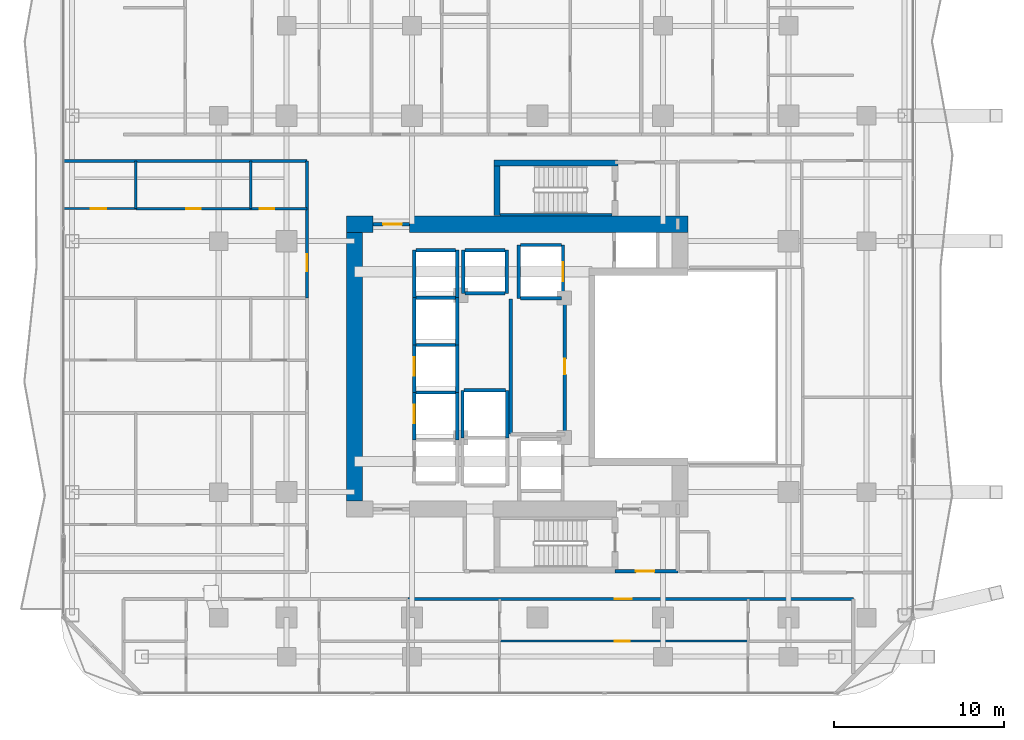
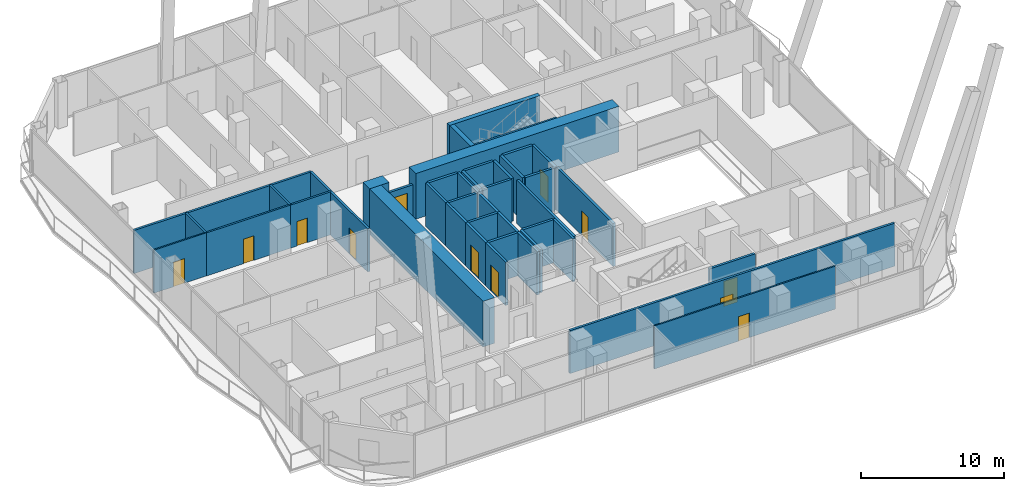
# One storey, part 25 of 32: 42 walls, 12 doors, 12 openings.
"""IFC4 building model written with IfcOpenShell, lengths in metres."""

from ifc_helpers import new_model, si_unit, direction, frame, frame_2d, origin, place, context, subcontext, project, spatial, rectangle, extrude, material, layer, layer_set, type_object, element, fill, save


model = new_model("IFC4")

# Units and contexts
model_context = context("Model", 3, precision=1e-05, world=origin(), true_north=direction((0.0, 1.0)))
body_context = subcontext(model_context, "Body", "Model", "MODEL_VIEW")
ifc_project = project(units=[si_unit("LENGTHUNIT", "METRE"), si_unit("AREAUNIT", "SQUARE_METRE"), si_unit("VOLUMEUNIT", "CUBIC_METRE"), si_unit("PLANEANGLEUNIT", "RADIAN"), si_unit("MASSUNIT", "GRAM", prefix="KILO")], contexts=[model_context])

# Site, building, storey
site_placement = place(None, origin())
site = spatial("IfcSite", under=ifc_project, at=site_placement, CompositionType="ELEMENT")
building_placement = place(site_placement, origin())
building = spatial("IfcBuilding", under=site, at=building_placement, Name="Khorvyn Point Tower", CompositionType="ELEMENT")
storey_placement = place(building_placement, frame((0.0, 0.0, 93.0)))
storey = spatial("IfcBuildingStorey", under=building, at=storey_placement, Name="L23", CompositionType="ELEMENT", Elevation=93.0)

# Wall, opening, door
ifc_material_1 = material(Name="Double acoustic gypsum on twin steel stud", Category="steel")
ifc_layer_1 = layer(ifc_material_1, 0.179931640625)
ifc_layer_set_1 = layer_set([ifc_layer_1], Name="Acoustic Double-Stud Apartment Demising Wall 180")
wall_type_1 = type_object("IfcWallType", Name="Acoustic Double-Stud Apartment Demising Wall 180", PredefinedType="PARTITIONING", material=ifc_layer_set_1)
wall_1_placement = place(storey_placement, frame((-7.634033203125, -13.699951171875, 0.0), z_axis=(0.0, 0.0, 1.0), x_axis=(1.0, 0.0, 0.0)))
wall_1 = element("IfcWall", 1, at=wall_1_placement, inside=storey, type_object=wall_type_1, Name="Wall", PredefinedType="PARTITIONING", context=body_context, shape_type="SweptSolid", body=[
    extrude(rectangle(XDim=26.254150390625, YDim=0.179931640625, at=frame_2d((13.126953125, 0.0))), origin(), (0.0, 0.0, 1.0), 3.679931640625),
])
opening_1_placement = place(wall_1_placement, frame((12.178466796875, 0.0, 0.0)))
opening_1 = element("IfcOpeningElement", 2, at=opening_1_placement, cuts=wall_1, Name="Opening ID-AP60", PredefinedType="OPENING", context=body_context, shape_type="SweptSolid", body=[
    extrude(rectangle(XDim=1.0, YDim=2.199951171875, at=frame_2d((0.5, 1.10009765625))), frame((0.0, 0.099853515625, 0.0), z_axis=(0.0, -1.0, 0.0), x_axis=(1.0, 0.0, 0.0)), (0.0, 0.0, 1.0), 0.199951171875),
])
ifc_material_2 = material(Name="Engineered hardwood fire-rated leaf", Category="wood")
door_type_1 = type_object("IfcDoorType", Name="Acoustic Solid-Core Timber Apartment Entrance Door 1000x2200", OperationType="NOTDEFINED", PredefinedType="DOOR", material=ifc_material_2)
door_1_placement = place(opening_1_placement, origin())
door_1 = element("IfcDoor", 3, at=door_1_placement, inside=storey, type_object=door_type_1, Name="Door", OperationType="SINGLE_SWING_RIGHT", OverallHeight=2.199951171875, OverallWidth=1.0, PredefinedType="DOOR", context=body_context, shape_type="SweptSolid", body=[
    extrude(rectangle(XDim=1.0, YDim=2.199951171875, at=frame_2d((0.5, 1.10009765625))), frame((0.0, 0.02490234375, 0.0), z_axis=(0.0, -1.0, 0.0), x_axis=(1.0, 0.0, 0.0)), (0.0, 0.0, 1.0), 0.050048828125),
])
fill(opening_1, door_1)

wall_2_placement = place(storey_placement, frame((-13.60009765625, 4.0400390625, 0.0), z_axis=(0.0, 0.0, 1.0), x_axis=(0.0, 1.0, 0.0)))
wall_2 = element("IfcWall", 4, at=wall_2_placement, inside=storey, type_object=wall_type_1, Name="Wall", PredefinedType="PARTITIONING", context=body_context, shape_type="SweptSolid", body=[
    extrude(rectangle(XDim=8.080078125, YDim=0.179931640625, at=frame_2d((4.0400390625, 0.0))), origin(), (0.0, 0.0, 1.0), 3.679931640625),
])
opening_2_placement = place(wall_2_placement, frame((1.583251953125, 0.0, 0.0)))
opening_2 = element("IfcOpeningElement", 5, at=opening_2_placement, cuts=wall_2, Name="Opening ID-AP60", PredefinedType="OPENING", context=body_context, shape_type="SweptSolid", body=[
    extrude(rectangle(XDim=1.0, YDim=2.199951171875, at=frame_2d((0.5, 1.10009765625))), frame((0.0, 0.099853515625, 0.0), z_axis=(0.0, -1.0, 0.0), x_axis=(1.0, 0.0, 0.0)), (0.0, 0.0, 1.0), 0.199951171875),
])
door_2_placement = place(opening_2_placement, origin())
door_2 = element("IfcDoor", 6, at=door_2_placement, inside=storey, type_object=door_type_1, Name="Door", OperationType="SINGLE_SWING_RIGHT", OverallHeight=2.199951171875, OverallWidth=1.0, PredefinedType="DOOR", context=body_context, shape_type="SweptSolid", body=[
    extrude(rectangle(XDim=1.0, YDim=2.199951171875, at=frame_2d((0.5, 1.10009765625))), frame((0.0, 0.02490234375, 0.0), z_axis=(0.0, -1.0, 0.0), x_axis=(1.0, 0.0, 0.0)), (0.0, 0.0, 1.0), 0.050048828125),
])
fill(opening_2, door_2)

# Wall
wall_3_placement = place(storey_placement, frame((-27.929931640625, 12.1201171875, 0.0), z_axis=(0.0, 0.0, 1.0), x_axis=(1.0, 0.0, 0.0)))
element("IfcWall", 7, at=wall_3_placement, inside=storey, type_object=wall_type_1, Name="Wall", PredefinedType="PARTITIONING", context=body_context, shape_type="SweptSolid", body=[
    extrude(rectangle(XDim=14.329833984375, YDim=0.179931640625, at=frame_2d((7.1650390625, 0.0))), origin(), (0.0, 0.0, 1.0), 3.679931640625),
])

# Wall, opening, door
ifc_material_3 = material(Name="Concrete C40/50", Category="concrete")
ifc_layer_2 = layer(ifc_material_3, 0.199951171875)
ifc_layer_set_2 = layer_set([ifc_layer_2], Name="Concrete C40/50 Fire-Lobby Compartment Wall 200")
wall_type_2 = type_object("IfcWallType", Name="Concrete C40/50 Fire-Lobby Compartment Wall 200", PredefinedType="SOLIDWALL", material=ifc_layer_set_2)
wall_4_placement = place(storey_placement, frame((4.580078125, -12.06005859375, 0.0), z_axis=(0.0, 0.0, 1.0), x_axis=(1.0, 0.0, 0.0)))
wall_4 = element("IfcWall", 8, at=wall_4_placement, inside=storey, type_object=wall_type_2, Name="Wall", PredefinedType="SOLIDWALL", context=body_context, shape_type="SweptSolid", body=[
    extrude(rectangle(XDim=3.699951171875, YDim=0.199951171875, at=frame_2d((1.85009765625, 0.0))), origin(), (0.0, 0.0, 1.0), 3.679931640625),
])
opening_3_placement = place(wall_4_placement, frame((1.21240234375, 0.0, 0.0)))
opening_3 = element("IfcOpeningElement", 9, at=opening_3_placement, cuts=wall_4, Name="Opening ID-FL90", PredefinedType="OPENING", context=body_context, shape_type="SweptSolid", body=[
    extrude(rectangle(XDim=1.10009765625, YDim=2.14990234375, at=frame_2d((0.550048828125, 1.074951171875))), frame((0.0, 0.10986328125, 0.0), z_axis=(0.0, -1.0, 0.0), x_axis=(1.0, 0.0, 0.0)), (0.0, 0.0, 1.0), 0.219970703125),
])
ifc_material_4 = material(Name="Galvanised powder-coated steel", Category="steel")
door_type_2 = type_object("IfcDoorType", Name="Fire-Rated Steel Lobby and Stair Door 1100x2150", OperationType="NOTDEFINED", PredefinedType="DOOR", material=ifc_material_4)
door_3_placement = place(opening_3_placement, origin())
door_3 = element("IfcDoor", 10, at=door_3_placement, inside=storey, type_object=door_type_2, Name="Door", OperationType="SINGLE_SWING_RIGHT", OverallHeight=2.14990234375, OverallWidth=1.10009765625, PredefinedType="DOOR", context=body_context, shape_type="SweptSolid", body=[
    extrude(rectangle(XDim=1.10009765625, YDim=2.14990234375, at=frame_2d((0.550048828125, 1.074951171875))), frame((0.0, 0.02490234375, 0.0), z_axis=(0.0, -1.0, 0.0), x_axis=(1.0, 0.0, 0.0)), (0.0, 0.0, 1.0), 0.050048828125),
])
fill(opening_3, door_3)

wall_5_placement = place(storey_placement, frame((-9.699951171875, 8.39990234375, 0.0), z_axis=(0.0, 0.0, 1.0), x_axis=(1.0, 0.0, 0.0)))
wall_5 = element("IfcWall", 11, at=wall_5_placement, inside=storey, type_object=wall_type_2, Name="Wall", PredefinedType="SOLIDWALL", context=body_context, shape_type="SweptSolid", body=[
    extrude(rectangle(XDim=2.14990234375, YDim=0.199951171875, at=frame_2d((1.074951171875, 0.0))), origin(), (0.0, 0.0, 1.0), 2.719970703125),
])
opening_4_placement = place(wall_5_placement, frame((0.597900390625, 0.0, 0.0)))
opening_4 = element("IfcOpeningElement", 12, at=opening_4_placement, cuts=wall_5, Name="Opening ID-FL90", PredefinedType="OPENING", context=body_context, shape_type="SweptSolid", body=[
    extrude(rectangle(XDim=1.10009765625, YDim=2.14990234375, at=frame_2d((0.550048828125, 1.074951171875))), frame((0.0, 0.10986328125, 0.0), z_axis=(0.0, -1.0, 0.0), x_axis=(1.0, 0.0, 0.0)), (0.0, 0.0, 1.0), 0.219970703125),
])
door_4_placement = place(opening_4_placement, origin())
door_4 = element("IfcDoor", 13, at=door_4_placement, inside=storey, type_object=door_type_2, Name="Door", OperationType="SINGLE_SWING_RIGHT", OverallHeight=2.14990234375, OverallWidth=1.10009765625, PredefinedType="DOOR", context=body_context, shape_type="SweptSolid", body=[
    extrude(rectangle(XDim=1.10009765625, YDim=2.14990234375, at=frame_2d((0.550048828125, 1.074951171875))), frame((0.0, 0.02490234375, 0.0), z_axis=(0.0, -1.0, 0.0), x_axis=(1.0, 0.0, 0.0)), (0.0, 0.0, 1.0), 0.050048828125),
])
fill(opening_4, door_4)

wall_6_placement = place(storey_placement, frame((1.610107421875, -3.97998046875, 0.0), z_axis=(0.0, 0.0, 1.0), x_axis=(0.0, 1.0, 0.0)))
wall_6 = element("IfcWall", 14, at=wall_6_placement, inside=storey, type_object=wall_type_2, Name="Wall", PredefinedType="SOLIDWALL", context=body_context, shape_type="SweptSolid", body=[
    extrude(rectangle(XDim=7.9599609375, YDim=0.199951171875, at=frame_2d((3.97998046875, 0.0))), origin(), (0.0, 0.0, 1.0), 3.679931640625),
])
opening_5_placement = place(wall_6_placement, frame((3.52001953125, 0.0, 0.0)))
opening_5 = element("IfcOpeningElement", 15, at=opening_5_placement, cuts=wall_6, Name="Opening ID-RS60", PredefinedType="OPENING", context=body_context, shape_type="SweptSolid", body=[
    extrude(rectangle(XDim=0.919921875, YDim=2.10009765625, at=frame_2d((0.4599609375, 1.050048828125))), frame((0.0, 0.10986328125, 0.0), z_axis=(0.0, -1.0, 0.0), x_axis=(1.0, 0.0, 0.0)), (0.0, 0.0, 1.0), 0.219970703125),
])
door_type_3 = type_object("IfcDoorType", Name="Fire-Rated Riser and Store Steel Door 920x2100", OperationType="NOTDEFINED", PredefinedType="DOOR", material=ifc_material_4)
door_5_placement = place(opening_5_placement, origin())
door_5 = element("IfcDoor", 16, at=door_5_placement, inside=storey, type_object=door_type_3, Name="Door", OperationType="SINGLE_SWING_RIGHT", OverallHeight=2.10009765625, OverallWidth=0.919921875, PredefinedType="DOOR", context=body_context, shape_type="SweptSolid", body=[
    extrude(rectangle(XDim=0.919921875, YDim=2.10009765625, at=frame_2d((0.4599609375, 1.050048828125))), frame((0.0, 0.02490234375, 0.0), z_axis=(0.0, -1.0, 0.0), x_axis=(1.0, 0.0, 0.0)), (0.0, 0.0, 1.0), 0.050048828125),
])
fill(opening_5, door_5)

# Walls
wall_7_placement = place(storey_placement, frame((-1.580078125, -3.97998046875, 0.0), z_axis=(0.0, 0.0, 1.0), x_axis=(0.0, 1.0, 0.0)))
element("IfcWall", 17, at=wall_7_placement, inside=storey, type_object=wall_type_2, Name="Wall", PredefinedType="SOLIDWALL", context=body_context, shape_type="SweptSolid", body=[
    extrude(rectangle(XDim=7.9599609375, YDim=0.199951171875, at=frame_2d((3.97998046875, 0.0))), origin(), (0.0, 0.0, 1.0), 3.679931640625),
])
ifc_layer_3 = layer(ifc_material_3, 0.25)
ifc_layer_set_3 = layer_set([ifc_layer_3], Name="Concrete C40/50 Stair Inner Cheek Structural Wall 250")
wall_type_3 = type_object("IfcWallType", Name="Concrete C40/50 Stair Inner Cheek Structural Wall 250", PredefinedType="SHEAR", material=ifc_layer_set_3)
wall_8_placement = place(storey_placement, frame((-2.199951171875, 8.949951171875, 0.0), z_axis=(0.0, 0.0, 1.0), x_axis=(1.0, 0.0, 0.0)))
element("IfcWall", 18, at=wall_8_placement, inside=storey, type_object=wall_type_3, Name="Wall", PredefinedType="SHEAR", context=body_context, shape_type="SweptSolid", body=[
    extrude(rectangle(XDim=6.599853515625, YDim=0.14990234375, at=frame_2d((3.2998046875, 0.0))), origin(), (0.0, 0.0, 1.0), 3.89990234375),
])
ifc_layer_4 = layer(ifc_material_3, 0.35009765625)
ifc_layer_set_4 = layer_set([ifc_layer_4], Name="Concrete C40/50 Stair Shaft Structural Wall 350")
wall_type_4 = type_object("IfcWallType", Name="Concrete C40/50 Stair Shaft Structural Wall 350", PredefinedType="SHEAR", material=ifc_layer_set_4)
wall_9_placement = place(storey_placement, frame((-2.554931640625, 12.0, 0.0), z_axis=(0.0, 0.0, 1.0), x_axis=(1.0, 0.0, 0.0)))
element("IfcWall", 19, at=wall_9_placement, inside=storey, type_object=wall_type_4, Name="L23 ST-02 North Shaft Wall", PredefinedType="SHEAR", context=body_context, shape_type="SweptSolid", body=[
    extrude(rectangle(XDim=7.309814453125, YDim=0.35009765625, at=frame_2d((3.65478515625, 0.0))), origin(), (0.0, 0.0, 1.0), 3.89990234375),
])
wall_10_placement = place(storey_placement, frame((-2.3798828125, 8.89990234375, 0.0), z_axis=(0.0, 0.0, 1.0), x_axis=(0.0, 1.0, 0.0)))
element("IfcWall", 20, at=wall_10_placement, inside=storey, type_object=wall_type_4, Name="L23 ST-02 West Shaft Wall", PredefinedType="SHEAR", context=body_context, shape_type="SweptSolid", body=[
    extrude(rectangle(XDim=2.925048828125, YDim=0.35009765625, at=frame_2d((1.46240234375, 0.0))), origin(), (0.0, 0.0, 1.0), 3.89990234375),
])

# Wall, opening, door
ifc_layer_5 = layer(ifc_material_3, 0.199951171875)
ifc_layer_set_5 = layer_set([ifc_layer_5], Name="Concrete C40/50 Structural Hoistway and Stair Shaft Wall 200")
wall_type_5 = type_object("IfcWallType", Name="Concrete C40/50 Structural Hoistway and Stair Shaft Wall 200", PredefinedType="SHEAR", material=ifc_layer_set_5)
wall_11_placement = place(storey_placement, frame((-7.27490234375, -4.324951171875, 0.0), z_axis=(0.0, 0.0, 1.0), x_axis=(0.0, 1.0, 0.0)))
wall_11 = element("IfcWall", 21, at=wall_11_placement, inside=storey, type_object=wall_type_5, Name="Wall", PredefinedType="SHEAR", context=body_context, shape_type="SweptSolid", body=[
    extrude(rectangle(XDim=2.800048828125, YDim=0.199951171875, at=frame_2d((1.39990234375, 0.0))), origin(), (0.0, 0.0, 1.0), 3.679931640625),
])
opening_6_placement = place(wall_11_placement, frame((0.97509765625, 0.0, 0.0)))
opening_6 = element("IfcOpeningElement", 22, at=opening_6_placement, cuts=wall_11, Name="Opening LD-1122", PredefinedType="OPENING", context=body_context, shape_type="SweptSolid", body=[
    extrude(rectangle(XDim=1.10009765625, YDim=2.199951171875, at=frame_2d((0.550048828125, 1.10009765625))), frame((0.0, 0.10986328125, 0.0), z_axis=(0.0, -1.0, 0.0), x_axis=(1.0, 0.0, 0.0)), (0.0, 0.0, 1.0), 0.219970703125),
])
ifc_material_5 = material(Name="Stainless steel 1.4301", Category="steel")
door_type_4 = type_object("IfcDoorType", Name="Stainless Steel Automatic Sliding Lift Landing Door 1100x2200", OperationType="SLIDING_TO_LEFT", PredefinedType="DOOR", material=ifc_material_5)
door_6_placement = place(opening_6_placement, origin())
door_6 = element("IfcDoor", 23, at=door_6_placement, inside=storey, type_object=door_type_4, Name="L23 RL-02 Sliding Lift Landing Door", OperationType="SLIDING_TO_LEFT", OverallHeight=2.199951171875, OverallWidth=1.10009765625, PredefinedType="DOOR", context=body_context, shape_type="SweptSolid", body=[
    extrude(rectangle(XDim=1.10009765625, YDim=2.199951171875, at=frame_2d((0.550048828125, 1.10009765625))), frame((0.0, 0.02490234375, 0.0), z_axis=(0.0, -1.0, 0.0), x_axis=(1.0, 0.0, 0.0)), (0.0, 0.0, 1.0), 0.050048828125),
])
fill(opening_6, door_6)

# Walls
wall_12_placement = place(storey_placement, frame((-4.72509765625, -4.324951171875, 0.0), z_axis=(0.0, 0.0, 1.0), x_axis=(0.0, 1.0, 0.0)))
element("IfcWall", 24, at=wall_12_placement, inside=storey, type_object=wall_type_5, Name="Wall", PredefinedType="SHEAR", context=body_context, shape_type="SweptSolid", body=[
    extrude(rectangle(XDim=2.800048828125, YDim=0.199951171875, at=frame_2d((1.39990234375, 0.0))), origin(), (0.0, 0.0, 1.0), 3.679931640625),
])
wall_13_placement = place(storey_placement, frame((-7.175048828125, -1.52490234375, 0.0), z_axis=(0.0, 0.0, 1.0), x_axis=(1.0, 0.0, 0.0)))
element("IfcWall", 25, at=wall_13_placement, inside=storey, type_object=wall_type_5, Name="Wall", PredefinedType="SHEAR", context=body_context, shape_type="SweptSolid", body=[
    extrude(rectangle(XDim=2.35009765625, YDim=0.199951171875, at=frame_2d((1.175048828125, 0.0))), origin(), (0.0, 0.0, 1.0), 3.679931640625),
])

# Wall, opening, door
wall_14_placement = place(storey_placement, frame((-7.27490234375, -1.52490234375, 0.0), z_axis=(0.0, 0.0, 1.0), x_axis=(0.0, 1.0, 0.0)))
wall_14 = element("IfcWall", 26, at=wall_14_placement, inside=storey, type_object=wall_type_5, Name="Wall", PredefinedType="SHEAR", context=body_context, shape_type="SweptSolid", body=[
    extrude(rectangle(XDim=2.7998046875, YDim=0.199951171875, at=frame_2d((1.39990234375, 0.0))), origin(), (0.0, 0.0, 1.0), 3.679931640625),
])
opening_7_placement = place(wall_14_placement, frame((0.97509765625, 0.0, 0.0)))
opening_7 = element("IfcOpeningElement", 27, at=opening_7_placement, cuts=wall_14, Name="Opening LD-1122", PredefinedType="OPENING", context=body_context, shape_type="SweptSolid", body=[
    extrude(rectangle(XDim=1.10009765625, YDim=2.199951171875, at=frame_2d((0.550048828125, 1.10009765625))), frame((0.0, 0.10986328125, 0.0), z_axis=(0.0, -1.0, 0.0), x_axis=(1.0, 0.0, 0.0)), (0.0, 0.0, 1.0), 0.219970703125),
])
door_7_placement = place(opening_7_placement, origin())
door_7 = element("IfcDoor", 28, at=door_7_placement, inside=storey, type_object=door_type_4, Name="L23 RL-03 Sliding Lift Landing Door", OperationType="SLIDING_TO_LEFT", OverallHeight=2.199951171875, OverallWidth=1.10009765625, PredefinedType="DOOR", context=body_context, shape_type="SweptSolid", body=[
    extrude(rectangle(XDim=1.10009765625, YDim=2.199951171875, at=frame_2d((0.550048828125, 1.10009765625))), frame((0.0, 0.02490234375, 0.0), z_axis=(0.0, -1.0, 0.0), x_axis=(1.0, 0.0, 0.0)), (0.0, 0.0, 1.0), 0.050048828125),
])
fill(opening_7, door_7)

# Walls
wall_15_placement = place(storey_placement, frame((-4.72509765625, -1.52490234375, 0.0), z_axis=(0.0, 0.0, 1.0), x_axis=(0.0, 1.0, 0.0)))
element("IfcWall", 29, at=wall_15_placement, inside=storey, type_object=wall_type_5, Name="Wall", PredefinedType="SHEAR", context=body_context, shape_type="SweptSolid", body=[
    extrude(rectangle(XDim=2.7998046875, YDim=0.199951171875, at=frame_2d((1.39990234375, 0.0))), origin(), (0.0, 0.0, 1.0), 3.679931640625),
])
wall_16_placement = place(storey_placement, frame((-7.175048828125, 1.27490234375, 0.0), z_axis=(0.0, 0.0, 1.0), x_axis=(1.0, 0.0, 0.0)))
element("IfcWall", 30, at=wall_16_placement, inside=storey, type_object=wall_type_5, Name="Wall", PredefinedType="SHEAR", context=body_context, shape_type="SweptSolid", body=[
    extrude(rectangle(XDim=2.35009765625, YDim=0.199951171875, at=frame_2d((1.175048828125, 0.0))), origin(), (0.0, 0.0, 1.0), 3.679931640625),
])
for number, where, z_axis, x_axis, name in (
    (31, (-7.27490234375, 1.27490234375, 0.0), (0.0, 0.0, 1.0), (0.0, 1.0, 0.0), "Wall"),
    (32, (-4.72509765625, 1.27490234375, 0.0), (0.0, 0.0, 1.0), (0.0, 1.0, 0.0), "Wall"),
):
    element("IfcWall", number, at=place(storey_placement, frame(where, z_axis=z_axis, x_axis=x_axis)), inside=storey, type_object=wall_type_5, Name=name, PredefinedType="SHEAR", context=body_context, shape_type="SweptSolid", body=[
        extrude(rectangle(XDim=2.800048828125, YDim=0.199951171875, at=frame_2d((1.39990234375, 0.0))), origin(), (0.0, 0.0, 1.0), 3.679931640625),
    ])
wall_17_placement = place(storey_placement, frame((-7.175048828125, 4.074951171875, 0.0), z_axis=(0.0, 0.0, 1.0), x_axis=(1.0, 0.0, 0.0)))
element("IfcWall", 33, at=wall_17_placement, inside=storey, type_object=wall_type_5, Name="Wall", PredefinedType="SHEAR", context=body_context, shape_type="SweptSolid", body=[
    extrude(rectangle(XDim=2.35009765625, YDim=0.199951171875, at=frame_2d((1.175048828125, 0.0))), origin(), (0.0, 0.0, 1.0), 3.679931640625),
])
for number, where, z_axis, x_axis, name in (
    (34, (-7.27490234375, 4.074951171875, 0.0), (0.0, 0.0, 1.0), (0.0, 1.0, 0.0), "Wall"),
    (35, (-4.72509765625, 4.074951171875, 0.0), (0.0, 0.0, 1.0), (0.0, 1.0, 0.0), "Wall"),
):
    element("IfcWall", number, at=place(storey_placement, frame(where, z_axis=z_axis, x_axis=x_axis)), inside=storey, type_object=wall_type_5, Name=name, PredefinedType="SHEAR", context=body_context, shape_type="SweptSolid", body=[
        extrude(rectangle(XDim=2.800048828125, YDim=0.199951171875, at=frame_2d((1.39990234375, 0.0))), origin(), (0.0, 0.0, 1.0), 3.679931640625),
    ])
wall_18_placement = place(storey_placement, frame((-7.175048828125, 6.875, 0.0), z_axis=(0.0, 0.0, 1.0), x_axis=(1.0, 0.0, 0.0)))
element("IfcWall", 36, at=wall_18_placement, inside=storey, type_object=wall_type_5, Name="Wall", PredefinedType="SHEAR", context=body_context, shape_type="SweptSolid", body=[
    extrude(rectangle(XDim=2.35009765625, YDim=0.199951171875, at=frame_2d((1.175048828125, 0.0))), origin(), (0.0, 0.0, 1.0), 3.679931640625),
])
for number, where, z_axis, x_axis, name in (
    (37, (-4.375, 4.324951171875, 0.0), (0.0, 0.0, 1.0), (0.0, 1.0, 0.0), "Wall"),
    (38, (-1.824951171875, 4.324951171875, 0.0), (0.0, 0.0, 1.0), (0.0, 1.0, 0.0), "Wall"),
):
    element("IfcWall", number, at=place(storey_placement, frame(where, z_axis=z_axis, x_axis=x_axis)), inside=storey, type_object=wall_type_5, Name=name, PredefinedType="SHEAR", context=body_context, shape_type="SweptSolid", body=[
        extrude(rectangle(XDim=2.550048828125, YDim=0.199951171875, at=frame_2d((1.27490234375, 0.0))), origin(), (0.0, 0.0, 1.0), 3.679931640625),
    ])
for number, where, z_axis, x_axis, name in (
    (39, (-4.27490234375, 4.324951171875, 0.0), (0.0, 0.0, 1.0), (1.0, 0.0, 0.0), "Wall"),
    (40, (-4.27490234375, 6.875, 0.0), (0.0, 0.0, 1.0), (1.0, 0.0, 0.0), "Wall"),
):
    element("IfcWall", number, at=place(storey_placement, frame(where, z_axis=z_axis, x_axis=x_axis)), inside=storey, type_object=wall_type_5, Name=name, PredefinedType="SHEAR", context=body_context, shape_type="SweptSolid", body=[
        extrude(rectangle(XDim=2.349853515625, YDim=0.199951171875, at=frame_2d((1.1748046875, 0.0))), origin(), (0.0, 0.0, 1.0), 3.679931640625),
    ])
for number, where, z_axis, x_axis, name in (
    (41, (-4.425048828125, -4.199951171875, 0.0), (0.0, 0.0, 1.0), (0.0, 1.0, 0.0), "Wall"),
    (42, (-1.77490234375, -4.199951171875, 0.0), (0.0, 0.0, 1.0), (0.0, 1.0, 0.0), "Wall"),
):
    element("IfcWall", number, at=place(storey_placement, frame(where, z_axis=z_axis, x_axis=x_axis)), inside=storey, type_object=wall_type_5, Name=name, PredefinedType="SHEAR", context=body_context, shape_type="SweptSolid", body=[
        extrude(rectangle(XDim=2.800048828125, YDim=0.199951171875, at=frame_2d((1.39990234375, 0.0))), origin(), (0.0, 0.0, 1.0), 3.679931640625),
    ])
wall_19_placement = place(storey_placement, frame((-4.324951171875, -1.39990234375, 0.0), z_axis=(0.0, 0.0, 1.0), x_axis=(1.0, 0.0, 0.0)))
element("IfcWall", 43, at=wall_19_placement, inside=storey, type_object=wall_type_5, Name="Wall", PredefinedType="SHEAR", context=body_context, shape_type="SweptSolid", body=[
    extrude(rectangle(XDim=2.449951171875, YDim=0.199951171875, at=frame_2d((1.22509765625, 0.0))), origin(), (0.0, 0.0, 1.0), 3.679931640625),
])
wall_20_placement = place(storey_placement, frame((-1.10009765625, 4.02490234375, 0.0), z_axis=(0.0, 0.0, 1.0), x_axis=(0.0, 1.0, 0.0)))
element("IfcWall", 44, at=wall_20_placement, inside=storey, type_object=wall_type_5, Name="Wall", PredefinedType="SHEAR", context=body_context, shape_type="SweptSolid", body=[
    extrude(rectangle(XDim=3.150146484375, YDim=0.199951171875, at=frame_2d((1.5751953125, 0.0))), origin(), (0.0, 0.0, 1.0), 3.679931640625),
])

# Wall, opening, door
wall_21_placement = place(storey_placement, frame((1.5, 4.02490234375, 0.0), z_axis=(0.0, 0.0, 1.0), x_axis=(0.0, 1.0, 0.0)))
wall_21 = element("IfcWall", 45, at=wall_21_placement, inside=storey, type_object=wall_type_5, Name="Wall", PredefinedType="SHEAR", context=body_context, shape_type="SweptSolid", body=[
    extrude(rectangle(XDim=3.150146484375, YDim=0.199951171875, at=frame_2d((1.5751953125, 0.0))), origin(), (0.0, 0.0, 1.0), 3.679931640625),
])
opening_8_placement = place(wall_21_placement, frame((1.02490234375, 0.0, 0.0)))
opening_8 = element("IfcOpeningElement", 46, at=opening_8_placement, cuts=wall_21, Name="Opening LD-1122", PredefinedType="OPENING", context=body_context, shape_type="SweptSolid", body=[
    extrude(rectangle(XDim=1.10009765625, YDim=2.199951171875, at=frame_2d((0.550048828125, 1.10009765625))), frame((0.0, 0.10986328125, 0.0), z_axis=(0.0, -1.0, 0.0), x_axis=(1.0, 0.0, 0.0)), (0.0, 0.0, 1.0), 0.219970703125),
])
door_8_placement = place(opening_8_placement, origin())
door_8 = element("IfcDoor", 47, at=door_8_placement, inside=storey, type_object=door_type_4, Name="L23 SV-01 Sliding Lift Landing Door", OperationType="SLIDING_TO_LEFT", OverallHeight=2.199951171875, OverallWidth=1.10009765625, PredefinedType="DOOR", context=body_context, shape_type="SweptSolid", body=[
    extrude(rectangle(XDim=1.10009765625, YDim=2.199951171875, at=frame_2d((0.550048828125, 1.10009765625))), frame((0.0, 0.02490234375, 0.0), z_axis=(0.0, -1.0, 0.0), x_axis=(1.0, 0.0, 0.0)), (0.0, 0.0, 1.0), 0.050048828125),
])
fill(opening_8, door_8)

# Walls
for number, where, z_axis, x_axis, name in (
    (48, (-1.0, 4.02490234375, 0.0), (0.0, 0.0, 1.0), (1.0, 0.0, 0.0), "Wall"),
    (49, (-1.0, 7.175048828125, 0.0), (0.0, 0.0, 1.0), (1.0, 0.0, 0.0), "Wall"),
):
    element("IfcWall", number, at=place(storey_placement, frame(where, z_axis=z_axis, x_axis=x_axis)), inside=storey, type_object=wall_type_5, Name=name, PredefinedType="SHEAR", context=body_context, shape_type="SweptSolid", body=[
        extrude(rectangle(XDim=2.39990234375, YDim=0.199951171875, at=frame_2d((1.199951171875, 0.0))), origin(), (0.0, 0.0, 1.0), 3.679931640625),
    ])
ifc_material_6 = material(Name="Concrete C50/60", Category="concrete")
ifc_layer_6 = layer(ifc_material_6, 0.949951171875)
ifc_layer_set_6 = layer_set([ifc_layer_6], Name="Concrete C50/60 Core Shear Wall 950")
wall_type_6 = type_object("IfcWallType", Name="Concrete C50/60 Core Shear Wall 950", PredefinedType="SHEAR", material=ifc_layer_set_6)
wall_22_placement = place(storey_placement, frame((-11.27490234375, 8.39990234375, 0.0), z_axis=(0.0, 0.0, 1.0), x_axis=(1.0, 0.0, 0.0)))
element("IfcWall", 50, at=wall_22_placement, inside=storey, type_object=wall_type_6, Name="Wall", PredefinedType="SHEAR", context=body_context, shape_type="SweptSolid", body=[
    extrude(rectangle(XDim=1.574951171875, YDim=0.949951171875, at=frame_2d((0.78759765625, 0.0))), origin(), (0.0, 0.0, 1.0), 3.89990234375),
])
wall_23_placement = place(storey_placement, frame((-7.550048828125, 8.39990234375, 0.0), z_axis=(0.0, 0.0, 1.0), x_axis=(1.0, 0.0, 0.0)))
element("IfcWall", 51, at=wall_23_placement, inside=storey, type_object=wall_type_6, Name="Wall", PredefinedType="SHEAR", context=body_context, shape_type="SweptSolid", body=[
    extrude(rectangle(XDim=16.425048828125, YDim=0.949951171875, at=frame_2d((8.21240234375, 0.0))), origin(), (0.0, 0.0, 1.0), 3.89990234375),
])
wall_24_placement = place(storey_placement, frame((-10.800048828125, -7.925048828125, 0.0), z_axis=(0.0, 0.0, 1.0), x_axis=(0.0, 1.0, 0.0)))
element("IfcWall", 52, at=wall_24_placement, inside=storey, type_object=wall_type_6, Name="Wall", PredefinedType="SHEAR", context=body_context, shape_type="SweptSolid", body=[
    extrude(rectangle(XDim=15.85009765625, YDim=0.949951171875, at=frame_2d((7.925048828125, 0.0))), origin(), (0.0, 0.0, 1.0), 3.89990234375),
])

# Wall, opening, door
ifc_material_7 = material(Name="Gypsum plasterboard on steel stud", Category="steel")
ifc_layer_7 = layer(ifc_material_7, 0.1201171875)
ifc_layer_set_7 = layer_set([ifc_layer_7], Name="Gypsum Acoustic Stud Room Partition Wall 120")
wall_type_7 = type_object("IfcWallType", Name="Gypsum Acoustic Stud Room Partition Wall 120", PredefinedType="PARTITIONING", material=ifc_layer_set_7)
wall_25_placement = place(storey_placement, frame((-2.239990234375, -16.18994140625, 0.0), z_axis=(0.0, 0.0, 1.0), x_axis=(1.0, 0.0, 0.0)))
wall_25 = element("IfcWall", 53, at=wall_25_placement, inside=storey, type_object=wall_type_7, Name="Wall", PredefinedType="PARTITIONING", context=body_context, shape_type="SweptSolid", body=[
    extrude(rectangle(XDim=14.654052734375, YDim=0.1201171875, at=frame_2d((7.3271484375, 0.0))), origin(), (0.0, 0.0, 1.0), 3.679931640625),
])
opening_9_placement = place(wall_25_placement, frame((6.787353515625, 0.0, 0.0)))
opening_9 = element("IfcOpeningElement", 54, at=opening_9_placement, cuts=wall_25, Name="Opening ID-RM90", PredefinedType="OPENING", context=body_context, shape_type="SweptSolid", body=[
    extrude(rectangle(XDim=0.89990234375, YDim=2.10009765625, at=frame_2d((0.449951171875, 1.050048828125))), frame((0.0, 0.070068359375, 0.0), z_axis=(0.0, -1.0, 0.0), x_axis=(1.0, 0.0, 0.0)), (0.0, 0.0, 1.0), 0.14013671875),
])
ifc_material_8 = material(Name="Engineered oak veneer timber", Category="wood")
door_type_5 = type_object("IfcDoorType", Name="Flush Engineered Timber Room Door 900x2100", OperationType="NOTDEFINED", PredefinedType="DOOR", material=ifc_material_8)
door_9_placement = place(opening_9_placement, origin())
door_9 = element("IfcDoor", 55, at=door_9_placement, inside=storey, type_object=door_type_5, Name="Door", OperationType="SINGLE_SWING_LEFT", OverallHeight=2.10009765625, OverallWidth=0.89990234375, PredefinedType="DOOR", context=body_context, shape_type="SweptSolid", body=[
    extrude(rectangle(XDim=0.89990234375, YDim=2.10009765625, at=frame_2d((0.449951171875, 1.050048828125))), frame((0.0, 0.02490234375, 0.0), z_axis=(0.0, -1.0, 0.0), x_axis=(1.0, 0.0, 0.0)), (0.0, 0.0, 1.0), 0.050048828125),
])
fill(opening_9, door_9)

wall_26_placement = place(storey_placement, frame((-27.929931640625, 9.320068359375, 0.0), z_axis=(0.0, 0.0, 1.0), x_axis=(1.0, 0.0, 0.0)))
wall_26 = element("IfcWall", 56, at=wall_26_placement, inside=storey, type_object=wall_type_7, Name="Wall", PredefinedType="PARTITIONING", context=body_context, shape_type="SweptSolid", body=[
    extrude(rectangle(XDim=4.239990234375, YDim=0.1201171875, at=frame_2d((2.1201171875, 0.0))), origin(), (0.0, 0.0, 1.0), 3.679931640625),
])
opening_10_placement = place(wall_26_placement, frame((1.581298828125, 0.0, 0.0)))
opening_10 = element("IfcOpeningElement", 57, at=opening_10_placement, cuts=wall_26, Name="Opening ID-RM90", PredefinedType="OPENING", context=body_context, shape_type="SweptSolid", body=[
    extrude(rectangle(XDim=0.89990234375, YDim=2.10009765625, at=frame_2d((0.449951171875, 1.050048828125))), frame((0.0, 0.070068359375, 0.0), z_axis=(0.0, -1.0, 0.0), x_axis=(1.0, 0.0, 0.0)), (0.0, 0.0, 1.0), 0.14013671875),
])
door_10_placement = place(opening_10_placement, origin())
door_10 = element("IfcDoor", 58, at=door_10_placement, inside=storey, type_object=door_type_5, Name="Door", OperationType="SINGLE_SWING_LEFT", OverallHeight=2.10009765625, OverallWidth=0.89990234375, PredefinedType="DOOR", context=body_context, shape_type="SweptSolid", body=[
    extrude(rectangle(XDim=0.89990234375, YDim=2.10009765625, at=frame_2d((0.449951171875, 1.050048828125))), frame((0.0, 0.02490234375, 0.0), z_axis=(0.0, -1.0, 0.0), x_axis=(1.0, 0.0, 0.0)), (0.0, 0.0, 1.0), 0.050048828125),
])
fill(opening_10, door_10)

ifc_material_9 = material(Name="Moisture-resistant gypsum and cement board", Category="gypsum")
ifc_layer_8 = layer(ifc_material_9, 0.14990234375)
ifc_layer_set_8 = layer_set([ifc_layer_8], Name="Moisture-Resistant Wet-Room Partition Wall 150")
wall_type_8 = type_object("IfcWallType", Name="Moisture-Resistant Wet-Room Partition Wall 150", PredefinedType="PARTITIONING", material=ifc_layer_set_8)
wall_27_placement = place(storey_placement, frame((-23.68994140625, 9.320068359375, 0.0), z_axis=(0.0, 0.0, 1.0), x_axis=(1.0, 0.0, 0.0)))
wall_27 = element("IfcWall", 59, at=wall_27_placement, inside=storey, type_object=wall_type_8, Name="Wall", PredefinedType="PARTITIONING", context=body_context, shape_type="SweptSolid", body=[
    extrude(rectangle(XDim=6.787841796875, YDim=0.14990234375, at=frame_2d((3.39404296875, 0.0))), origin(), (0.0, 0.0, 1.0), 3.679931640625),
])
opening_11_placement = place(wall_27_placement, frame((2.968994140625, 0.0, 0.0)))
opening_11 = element("IfcOpeningElement", 60, at=opening_11_placement, cuts=wall_27, Name="Opening ID-WC85", PredefinedType="OPENING", context=body_context, shape_type="SweptSolid", body=[
    extrude(rectangle(XDim=0.85009765625, YDim=2.10009765625, at=frame_2d((0.425048828125, 1.050048828125))), frame((0.0, 0.0849609375, 0.0), z_axis=(0.0, -1.0, 0.0), x_axis=(1.0, 0.0, 0.0)), (0.0, 0.0, 1.0), 0.169921875),
])
ifc_material_10 = material(Name="High-pressure laminate on moisture-resistant core", Category="wood")
door_type_6 = type_object("IfcDoorType", Name="Moisture-Resistant Accessible Washroom Door 850x2100", OperationType="NOTDEFINED", PredefinedType="DOOR", material=ifc_material_10)
door_11_placement = place(opening_11_placement, origin())
door_11 = element("IfcDoor", 61, at=door_11_placement, inside=storey, type_object=door_type_6, Name="Door", OperationType="SINGLE_SWING_LEFT", OverallHeight=2.10009765625, OverallWidth=0.85009765625, PredefinedType="DOOR", context=body_context, shape_type="SweptSolid", body=[
    extrude(rectangle(XDim=0.85009765625, YDim=2.10009765625, at=frame_2d((0.425048828125, 1.050048828125))), frame((0.0, 0.02490234375, 0.0), z_axis=(0.0, -1.0, 0.0), x_axis=(1.0, 0.0, 0.0)), (0.0, 0.0, 1.0), 0.050048828125),
])
fill(opening_11, door_11)

wall_28_placement = place(storey_placement, frame((-16.902099609375, 9.320068359375, 0.0), z_axis=(0.0, 0.0, 1.0), x_axis=(1.0, 0.0, 0.0)))
wall_28 = element("IfcWall", 62, at=wall_28_placement, inside=storey, type_object=wall_type_8, Name="Wall", PredefinedType="PARTITIONING", context=body_context, shape_type="SweptSolid", body=[
    extrude(rectangle(XDim=3.302001953125, YDim=0.14990234375, at=frame_2d((1.65087890625, 0.0))), origin(), (0.0, 0.0, 1.0), 3.679931640625),
])
opening_12_placement = place(wall_28_placement, frame((0.515380859375, 0.0, 0.0)))
opening_12 = element("IfcOpeningElement", 63, at=opening_12_placement, cuts=wall_28, Name="Opening ID-WC85", PredefinedType="OPENING", context=body_context, shape_type="SweptSolid", body=[
    extrude(rectangle(XDim=0.85009765625, YDim=2.10009765625, at=frame_2d((0.425048828125, 1.050048828125))), frame((0.0, 0.0849609375, 0.0), z_axis=(0.0, -1.0, 0.0), x_axis=(1.0, 0.0, 0.0)), (0.0, 0.0, 1.0), 0.169921875),
])
door_12_placement = place(opening_12_placement, origin())
door_12 = element("IfcDoor", 64, at=door_12_placement, inside=storey, type_object=door_type_6, Name="Door", OperationType="SINGLE_SWING_RIGHT", OverallHeight=2.10009765625, OverallWidth=0.85009765625, PredefinedType="DOOR", context=body_context, shape_type="SweptSolid", body=[
    extrude(rectangle(XDim=0.85009765625, YDim=2.10009765625, at=frame_2d((0.425048828125, 1.050048828125))), frame((0.0, 0.02490234375, 0.0), z_axis=(0.0, -1.0, 0.0), x_axis=(1.0, 0.0, 0.0)), (0.0, 0.0, 1.0), 0.050048828125),
])
fill(opening_12, door_12)

# Walls
for number, where, z_axis, x_axis, name in (
    (65, (-16.902099609375, 9.320068359375, 0.0), (0.0, 0.0, 1.0), (0.0, 1.0, 0.0), "Wall"),
    (66, (-23.68994140625, 9.320068359375, 0.0), (0.0, 0.0, 1.0), (0.0, 1.0, 0.0), "Wall"),
):
    element("IfcWall", number, at=place(storey_placement, frame(where, z_axis=z_axis, x_axis=x_axis)), inside=storey, type_object=wall_type_8, Name=name, PredefinedType="PARTITIONING", context=body_context, shape_type="SweptSolid", body=[
        extrude(rectangle(XDim=2.800048828125, YDim=0.14990234375, at=frame_2d((1.39990234375, 0.0))), origin(), (0.0, 0.0, 1.0), 3.679931640625),
    ])

save(model, "model.ifc")
